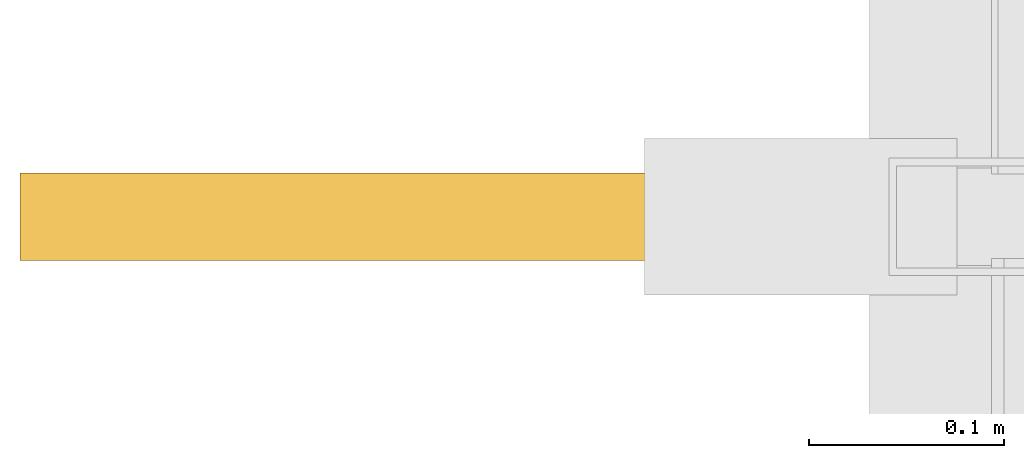
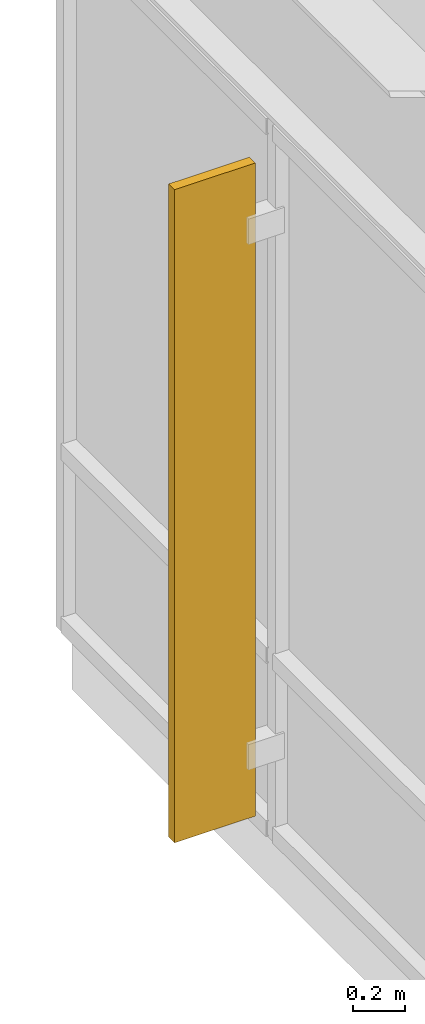
# One storey, part 53 of 55: 1 shading device.
"""IFC4 building model written with IfcOpenShell, lengths in metres."""

from ifc_helpers import new_model, si_unit, direction, frame, origin, origin_2d, place, context, subcontext, project, spatial, rectangle, extrude, material, type_object, element, save


model = new_model("IFC4")

# Units and contexts
model_context = context("Model", 3, precision=1e-05, world=origin(), true_north=direction((0.0, 1.0)))
body_context = subcontext(model_context, "Body", "Model", "MODEL_VIEW")
ifc_project = project(units=[si_unit("LENGTHUNIT", "METRE"), si_unit("AREAUNIT", "SQUARE_METRE"), si_unit("VOLUMEUNIT", "CUBIC_METRE"), si_unit("PLANEANGLEUNIT", "RADIAN"), si_unit("MASSUNIT", "GRAM", prefix="KILO")], contexts=[model_context])

# Site, building, storey
site_placement = place(None, origin())
site = spatial("IfcSite", under=ifc_project, at=site_placement, CompositionType="ELEMENT")
building_placement = place(site_placement, origin())
building = spatial("IfcBuilding", under=site, at=building_placement, Name="Ventoquebrada Cableway Terminal", CompositionType="ELEMENT")
storey_placement = place(building_placement, frame((0.0, 0.0, 14.39990234375)))
storey = spatial("IfcBuildingStorey", under=building, at=storey_placement, Name="L03", CompositionType="ELEMENT", Elevation=14.39990234375)

# Shading device
ifc_material = material(Name="Anodized thermally-broken aluminium", Category="aluminium")
shading_device_type = type_object("IfcShadingDeviceType", Name="SHD-AW1", PredefinedType="AWNING", material=ifc_material)
shading_device_placement = place(storey_placement, frame((2.659912109375, 112.3330078125, 0.14990234375), z_axis=(0.0, 0.0, 1.0), x_axis=(0.0, -1.0, 0.0)))
element("IfcShadingDevice", 1, at=shading_device_placement, inside=storey, type_object=shading_device_type, Name="Extruded aluminium sunshade fin FN-036", PredefinedType="AWNING", context=body_context, shape_type="SweptSolid", body=[
    extrude(rectangle(XDim=0.044921875, YDim=0.360107421875, at=origin_2d()), origin(), (0.0, 0.0, 1.0), 3.072021484375),
])

save(model, "model.ifc")
